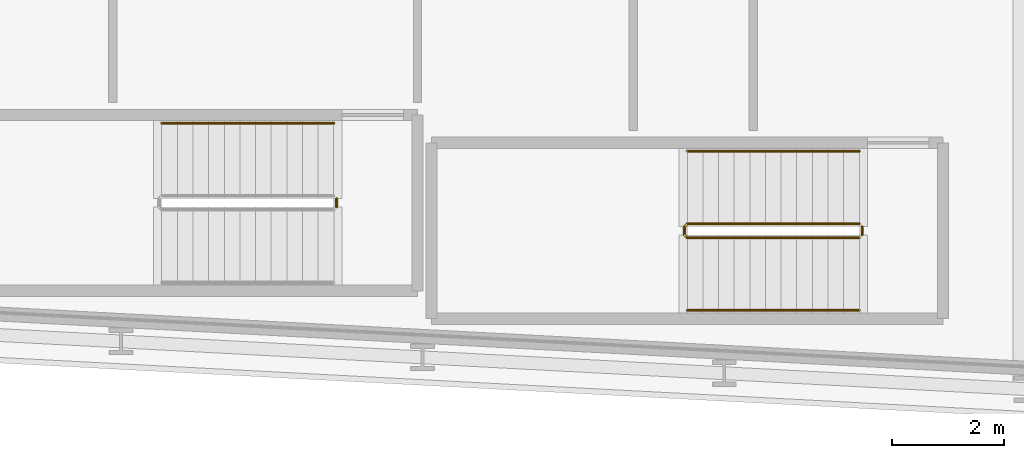
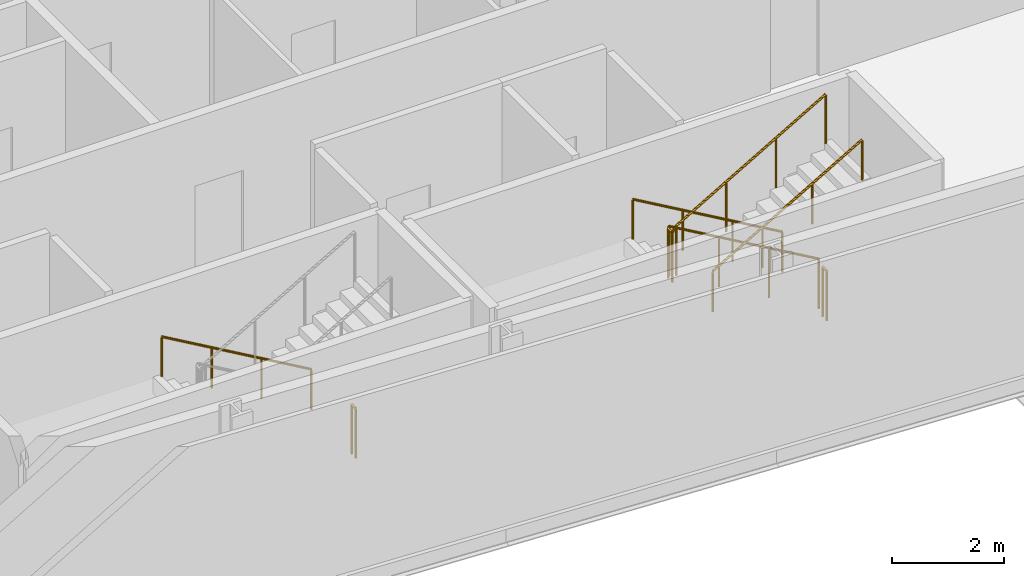
# One storey, part 24 of 27: 6 railings.
"""IFC4 building model written with IfcOpenShell, lengths in metres."""

from ifc_helpers import new_model, si_unit, direction, frame, origin, origin_2d, place, context, subcontext, project, spatial, circle, extrude, material, type_object, element, save


model = new_model("IFC4")

# Units and contexts
model_context = context("Model", 3, precision=1e-05, world=origin(), true_north=direction((0.0, 1.0)))
body_context = subcontext(model_context, "Body", "Model", "MODEL_VIEW")
ifc_project = project(units=[si_unit("LENGTHUNIT", "METRE"), si_unit("AREAUNIT", "SQUARE_METRE"), si_unit("VOLUMEUNIT", "CUBIC_METRE"), si_unit("PLANEANGLEUNIT", "RADIAN"), si_unit("MASSUNIT", "GRAM", prefix="KILO")], contexts=[model_context])

# Site, building, storey
site_placement = place(None, origin())
site = spatial("IfcSite", under=ifc_project, at=site_placement, CompositionType="ELEMENT")
building_placement = place(site_placement, origin())
building = spatial("IfcBuilding", under=site, at=building_placement, Name="Kheshtan School and Residences Tower", CompositionType="ELEMENT")
storey_placement = place(building_placement, frame((0.0, 0.0, 53.89990234375)))
storey = spatial("IfcBuildingStorey", under=building, at=storey_placement, Name="L12", CompositionType="ELEMENT", Elevation=53.89990234375)

# Railings
ifc_material_1 = material(Name="Stainless steel balustrade", Category="steel")
railing_type_1 = type_object("IfcRailingType", Name="Stair guard 1100", PredefinedType="GUARDRAIL", material=ifc_material_1)
railing_1_placement = place(storey_placement, frame((87.820068359375, 23.949951171875, 0.16259765625)))
element("IfcRailing", 1, at=railing_1_placement, inside=storey, type_object=railing_type_1, Name="L12 ST4 stair guard 1", PredefinedType="GUARDRAIL", context=body_context, shape_type="SweptSolid", body=[
    extrude(circle(Radius=0.02392578125, at=origin_2d()), frame((0.0, 0.0, 1.076171875), z_axis=(-0.864890721111, 0.0, 0.501960198159), x_axis=(0.0, -1.0, 0.0)), (0.0, 0.0, 1.0), 3.561279296875),
    extrude(circle(Radius=0.02392578125, at=origin_2d()), frame((-3.080078125, 0.0, 2.86376953125), z_axis=(-0.707106781187, -0.707106781187, 0.0), x_axis=(0.707106781187, -0.707106781187, 0.0)), (0.0, 0.0, 1.0), 0.07080078125),
    extrude(circle(Radius=0.02392578125, at=origin_2d()), frame((-3.130126953125, -0.050048828125, 2.86376953125), z_axis=(0.0, -1.0, 0.0), x_axis=(1.0, 0.0, 0.0)), (0.0, 0.0, 1.0), 0.14990234375),
    extrude(circle(Radius=0.02392578125, at=origin_2d()), frame((-3.130126953125, -0.199951171875, 2.86376953125), z_axis=(0.282583949758, -0.282583949758, 0.916674763849), x_axis=(0.707106781187, 0.707106781187, 0.0)), (0.0, 0.0, 1.0), 0.177001953125),
    extrude(circle(Radius=0.02392578125, at=origin_2d()), frame((-3.080078125, -0.25, 3.02587890625), z_axis=(0.864890721111, 0.0, 0.501960198159), x_axis=(0.0, 1.0, 0.0)), (0.0, 0.0, 1.0), 3.561279296875),
    extrude(circle(Radius=0.02099609375, at=origin_2d()), origin(), (0.0, 0.0, 1.0), 1.052001953125),
    extrude(circle(Radius=0.02099609375, at=origin_2d()), frame((-1.026611328125, 0.0, 0.595947265625)), (0.0, 0.0, 1.0), 1.052001953125),
    extrude(circle(Radius=0.02099609375, at=origin_2d()), frame((-2.053466796875, 0.0, 1.191650390625)), (0.0, 0.0, 1.0), 1.052001953125),
    extrude(circle(Radius=0.02099609375, at=origin_2d()), frame((-3.080078125, 0.0, 1.78759765625)), (0.0, 0.0, 1.0), 1.052001953125),
    extrude(circle(Radius=0.02099609375, at=origin_2d()), frame((-3.130126953125, -0.050048828125, 1.78759765625)), (0.0, 0.0, 1.0), 1.052001953125),
    extrude(circle(Radius=0.02099609375, at=origin_2d()), frame((-3.130126953125, -0.199951171875, 1.78759765625)), (0.0, 0.0, 1.0), 1.052001953125),
    extrude(circle(Radius=0.02099609375, at=origin_2d()), frame((-3.080078125, -0.25, 1.949951171875)), (0.0, 0.0, 1.0), 1.052001953125),
    extrude(circle(Radius=0.02099609375, at=origin_2d()), frame((-2.053466796875, -0.25, 2.5458984375)), (0.0, 0.0, 1.0), 1.052001953125),
    extrude(circle(Radius=0.02099609375, at=origin_2d()), frame((-1.026611328125, -0.25, 3.1416015625)), (0.0, 0.0, 1.0), 1.052001953125),
    extrude(circle(Radius=0.02099609375, at=origin_2d()), frame((0.0, -0.25, 3.737548828125)), (0.0, 0.0, 1.0), 1.052001953125),
])
for number, where, name in (
    (2, (87.8701171875, 23.89990234375, 0.0), "L12 ST4 stair guard 2"),
    (3, (78.4599609375, 24.39990234375, 0.0), "L12 ST5 stair guard 2"),
):
    element("IfcRailing", number, at=place(storey_placement, frame(where)), inside=storey, type_object=railing_type_1, Name=name, PredefinedType="GUARDRAIL", context=body_context, shape_type="SweptSolid", body=[
        extrude(circle(Radius=0.02392578125, at=origin_2d()), frame((0.0, 0.0, 1.076171875), z_axis=(0.0, -1.0, 0.0), x_axis=(1.0, 0.0, 0.0)), (0.0, 0.0, 1.0), 0.14990234375),
        extrude(circle(Radius=0.02099609375, at=origin_2d()), origin(), (0.0, 0.0, 1.0), 1.052001953125),
        extrude(circle(Radius=0.02099609375, at=origin_2d()), frame((0.0, -0.14990234375, 0.0)), (0.0, 0.0, 1.0), 1.052001953125),
    ])
ifc_material_2 = material(Name="Stainless steel handrail", Category="steel")
railing_type_2 = type_object("IfcRailingType", Name="Stair handrail 900", PredefinedType="HANDRAIL", material=ifc_material_2)
railing_2_placement = place(storey_placement, frame((87.820068359375, 25.25, 0.16259765625)))
element("IfcRailing", 4, at=railing_2_placement, inside=storey, type_object=railing_type_2, Name="L12 ST4 stair handrail 1", PredefinedType="HANDRAIL", context=body_context, shape_type="SweptSolid", body=[
    extrude(circle(Radius=0.02392578125, at=origin_2d()), frame((0.0, 0.0, 0.8759765625), z_axis=(-0.864890721111, 0.0, 0.501960198159), x_axis=(0.0, -1.0, 0.0)), (0.0, 0.0, 1.0), 3.561279296875),
    extrude(circle(Radius=0.02099609375, at=origin_2d()), origin(), (0.0, 0.0, 1.0), 0.851806640625),
    extrude(circle(Radius=0.02099609375, at=origin_2d()), frame((-1.026611328125, 0.0, 0.595947265625)), (0.0, 0.0, 1.0), 0.851806640625),
    extrude(circle(Radius=0.02099609375, at=origin_2d()), frame((-2.053466796875, 0.0, 1.191650390625)), (0.0, 0.0, 1.0), 0.851806640625),
    extrude(circle(Radius=0.02099609375, at=origin_2d()), frame((-3.080078125, 0.0, 1.78759765625)), (0.0, 0.0, 1.0), 0.851806640625),
])
railing_3_placement = place(storey_placement, frame((84.739990234375, 22.39990234375, 2.112548828125)))
element("IfcRailing", 5, at=railing_3_placement, inside=storey, type_object=railing_type_2, Name="L12 ST4 stair handrail 2", PredefinedType="HANDRAIL", context=body_context, shape_type="SweptSolid", body=[
    extrude(circle(Radius=0.02392578125, at=origin_2d()), frame((0.0, 0.0, 0.8759765625), z_axis=(0.864890721111, 0.0, 0.501960198159), x_axis=(0.0, 1.0, 0.0)), (0.0, 0.0, 1.0), 3.561279296875),
    extrude(circle(Radius=0.02099609375, at=origin_2d()), origin(), (0.0, 0.0, 1.0), 0.851806640625),
    extrude(circle(Radius=0.02099609375, at=origin_2d()), frame((1.026611328125, 0.0, 0.595947265625)), (0.0, 0.0, 1.0), 0.851806640625),
    extrude(circle(Radius=0.02099609375, at=origin_2d()), frame((2.053466796875, 0.0, 1.191650390625)), (0.0, 0.0, 1.0), 0.851806640625),
    extrude(circle(Radius=0.02099609375, at=origin_2d()), frame((3.080078125, 0.0, 1.78759765625)), (0.0, 0.0, 1.0), 0.851806640625),
])
railing_4_placement = place(storey_placement, frame((78.409912109375, 25.75, 0.16259765625)))
element("IfcRailing", 6, at=railing_4_placement, inside=storey, type_object=railing_type_2, Name="L12 ST5 stair handrail 1", PredefinedType="HANDRAIL", context=body_context, shape_type="SweptSolid", body=[
    extrude(circle(Radius=0.02392578125, at=origin_2d()), frame((0.0, 0.0, 0.8759765625), z_axis=(-0.864873446163, 0.0, 0.501989962173), x_axis=(0.0, -1.0, 0.0)), (0.0, 0.0, 1.0), 3.56103515625),
    extrude(circle(Radius=0.02099609375, at=origin_2d()), origin(), (0.0, 0.0, 1.0), 0.851806640625),
    extrude(circle(Radius=0.02099609375, at=origin_2d()), frame((-1.026611328125, 0.0, 0.595947265625)), (0.0, 0.0, 1.0), 0.851806640625),
    extrude(circle(Radius=0.02099609375, at=origin_2d()), frame((-2.05322265625, 0.0, 1.191650390625)), (0.0, 0.0, 1.0), 0.851806640625),
    extrude(circle(Radius=0.02099609375, at=origin_2d()), frame((-3.079833984375, 0.0, 1.78759765625)), (0.0, 0.0, 1.0), 0.851806640625),
])

save(model, "model.ifc")
